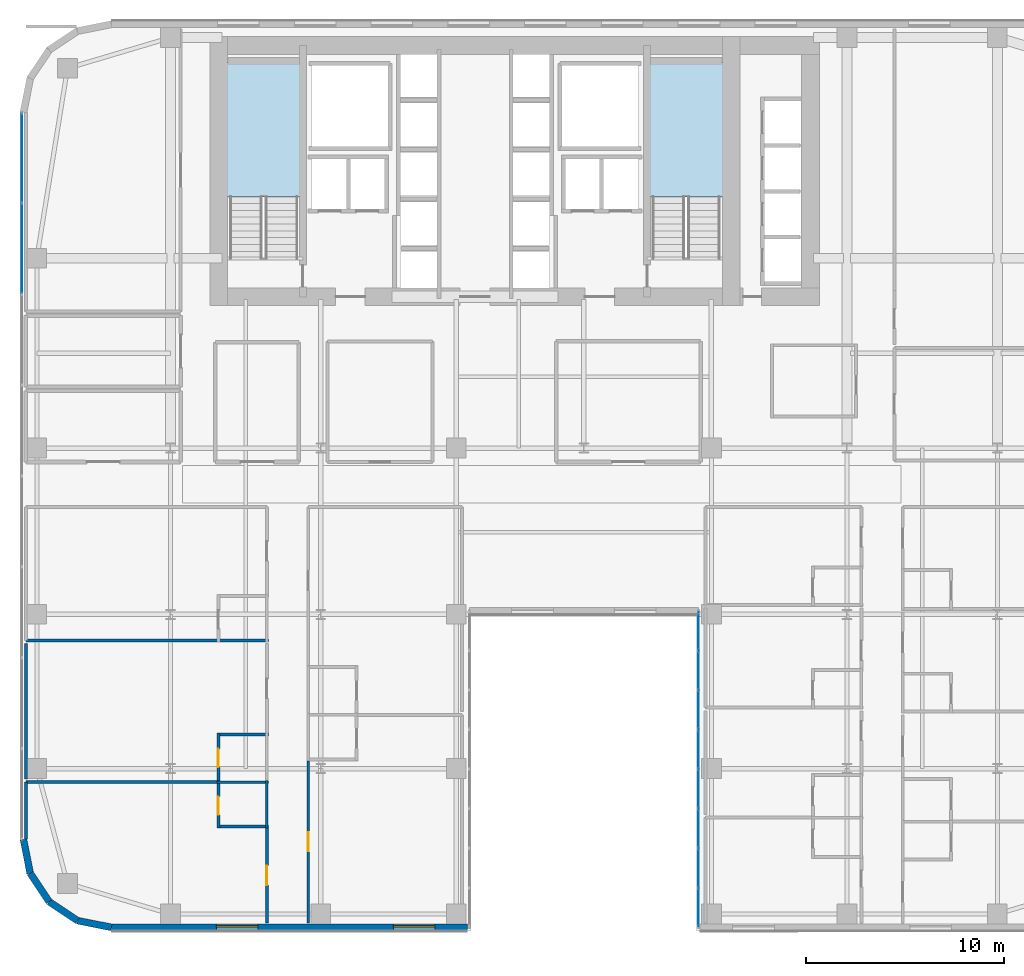
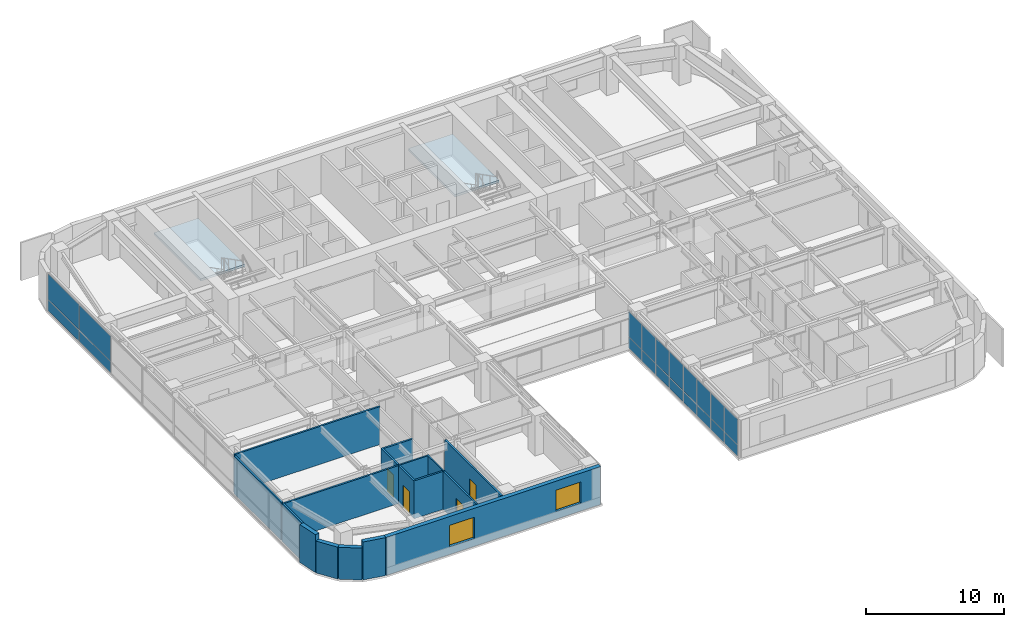
# One storey, part 26 of 37: 20 plates, 17 walls, 4 doors, 2 slabs, 2 windows, 6 openings, 4 elements without a shape of their own.
"""IFC4 building model written with IfcOpenShell, lengths in metres."""

from ifc_helpers import new_model, si_unit, direction, frame, frame_2d, origin, origin_2d, place, context, subcontext, project, spatial, polyline, rectangle, outline, extrude, source, transform, mapped, material, layer, layer_set, type_object, type_shapes, element, fill, aggregate, save


model = new_model("IFC4")

# Units and contexts
model_context = context("Model", 3, precision=1e-05, world=origin(), true_north=direction((0.0, 1.0)))
body_context = subcontext(model_context, "Body", "Model", "MODEL_VIEW")
ifc_project = project(units=[si_unit("LENGTHUNIT", "METRE"), si_unit("AREAUNIT", "SQUARE_METRE"), si_unit("VOLUMEUNIT", "CUBIC_METRE"), si_unit("PLANEANGLEUNIT", "RADIAN"), si_unit("MASSUNIT", "GRAM", prefix="KILO")], contexts=[model_context])

# Site, building, storey
site_placement = place(None, origin())
site = spatial("IfcSite", under=ifc_project, at=site_placement, CompositionType="ELEMENT")
building_placement = place(site_placement, origin())
building = spatial("IfcBuilding", under=site, at=building_placement, Name="Tolvann Quenvar Hotel", CompositionType="ELEMENT")
storey_placement = place(building_placement, frame((0.0, 0.0, 53.300048828125)))
storey = spatial("IfcBuildingStorey", under=building, at=storey_placement, Name="L12", CompositionType="ELEMENT", Elevation=53.300048828125)

# Stair, slab
ifc_material_1 = material(Name="Concrete N40 (40 MPa)", Category="concrete")
stair_type = type_object("IfcStairType", Name="STAIR", PredefinedType="HALF_TURN_STAIR", material=ifc_material_1)
stair_1_placement = place(storey_placement, origin())
stair_1 = element("IfcStair", 1, at=stair_1_placement, inside=storey, type_object=stair_type, Name="L12 ST-C1", PredefinedType="HALF_TURN_STAIR")
ifc_layer_1 = layer(ifc_material_1, 0.199951171875)
ifc_layer_set_1 = layer_set([ifc_layer_1], Name="Concrete N40 (40 MPa)")
slab_type = type_object("IfcSlabType", Name="SLAB_LANDING", PredefinedType="LANDING", material=ifc_layer_set_1)
slab_1_placement = place(storey_placement, frame((0.0, 0.0, 1.574951171875)))
slab_1 = element("IfcSlab", 2, at=slab_1_placement, type_object=slab_type, Name="ST-C1 landing 1", PredefinedType="LANDING", context=body_context, shape_type="SweptSolid", body=[
    extrude(outline(polyline([(14.179931640625, 37.10498046875), (14.179931640625, 43.8798828125), (10.469970703125, 43.8798828125), (10.469970703125, 37.10498046875), (14.179931640625, 37.10498046875)])), origin(), (0.0, 0.0, 1.0), 0.199951171875),
])
aggregate(stair_1, [slab_1])

stair_2_placement = place(storey_placement, origin())
stair_2 = element("IfcStair", 3, at=stair_2_placement, inside=storey, type_object=stair_type, Name="L12 ST-C2", PredefinedType="HALF_TURN_STAIR")
slab_2_placement = place(storey_placement, frame((0.0, 0.0, 1.574951171875)))
slab_2 = element("IfcSlab", 4, at=slab_2_placement, type_object=slab_type, Name="ST-C2 landing 1", PredefinedType="LANDING", context=body_context, shape_type="SweptSolid", body=[
    extrude(outline(polyline([(35.530029296875, 37.10498046875), (35.530029296875, 43.8798828125), (31.820068359375, 43.8798828125), (31.820068359375, 37.10498046875), (35.530029296875, 37.10498046875)])), origin(), (0.0, 0.0, 1.0), 0.199951171875),
])
aggregate(stair_2, [slab_2])

# Curtain wall, plates
ifc_material_2 = material(Name="Thermally broken anodised architectural aluminium 6063-T6 and laminated low-E glass", Category="aluminium")
ifc_layer_2 = layer(ifc_material_2, 0.179931640625)
ifc_layer_set_2 = layer_set([ifc_layer_2], Name="Thermally broken anodised architectural aluminium 6063-T6 and laminated low-E glass")
curtain_wall_type_1 = type_object("IfcCurtainWallType", Name="CW_SYS_SLOT_03", PredefinedType="USERDEFINED", material=ifc_layer_set_2)
curtain_wall_1_placement = place(storey_placement, origin())
curtain_wall_1 = element("IfcCurtainWall", 5, at=curtain_wall_1_placement, inside=storey, type_object=curtain_wall_type_1, Name="Curtain Wall CW-SLOT-03 (CWR-L12-E07)", ObjectType="UNITISED CURTAIN WALL", PredefinedType="USERDEFINED")
ifc_material_3 = material(Name="Low-iron laminated double glazing with solar-control coating", Category="glass")
ifc_layer_3 = layer(ifc_material_3, 0.028076171875)
ifc_layer_set_3 = layer_set([ifc_layer_3], Name="Low-iron laminated double glazing with solar-control coating")
plate_type = type_object("IfcPlateType", Name="CW_PAN_VISION_28", PredefinedType="CURTAIN_PANEL", material=ifc_layer_set_3)
shared_shape_1 = source(origin(), body_context, "Body", "SweptSolid", [
    extrude(rectangle(XDim=1.89501953125, YDim=0.028076171875, at=origin_2d()), origin(), (0.0, 0.0, 1.0), 0.9599609375),
])
plate_1_placement = place(storey_placement, frame((34.2900390625, 15.157470703125, 0.06005859375), z_axis=(0.0, 0.0, 1.0), x_axis=(0.0, -1.0, 0.0)))
plate_1 = element("IfcPlate", 6, at=plate_1_placement, type_object=plate_type, Name="CW-SLOT-03 panel 1.1", PredefinedType="CURTAIN_PANEL", context=body_context, shape_type="MappedRepresentation", body=[
    mapped(shared_shape_1, transform((0.0, 0.0, 0.0), x_axis=(1.0, 0.0, 0.0), y_axis=(0.0, 1.0, 0.0), z_axis=(0.0, 0.0, 1.0), scale=1.0)),
])
plate_2_placement = place(storey_placement, frame((34.2900390625, 1.1923828125, 0.06005859375), z_axis=(0.0, 0.0, 1.0), x_axis=(0.0, -1.0, 0.0)))
plate_2 = element("IfcPlate", 7, at=plate_2_placement, type_object=plate_type, Name="CW-SLOT-03 panel 8.1", PredefinedType="CURTAIN_PANEL", context=body_context, shape_type="MappedRepresentation", body=[
    mapped(shared_shape_1, transform((0.0, 0.0, 0.0), x_axis=(1.0, 0.0, 0.0), y_axis=(0.0, 1.0, 0.0), z_axis=(0.0, 0.0, 1.0), scale=1.0)),
])
shared_shape_2 = source(origin(), body_context, "Body", "SweptSolid", [
    extrude(rectangle(XDim=1.89501953125, YDim=0.028076171875, at=origin_2d()), origin(), (0.0, 0.0, 1.0), 2.22998046875),
])
plate_3_placement = place(storey_placement, frame((34.2900390625, 15.157470703125, 1.080078125), z_axis=(0.0, 0.0, 1.0), x_axis=(0.0, -1.0, 0.0)))
plate_3 = element("IfcPlate", 8, at=plate_3_placement, type_object=plate_type, Name="CW-SLOT-03 panel 1.2", PredefinedType="CURTAIN_PANEL", context=body_context, shape_type="MappedRepresentation", body=[
    mapped(shared_shape_2, transform((0.0, 0.0, 0.0), x_axis=(1.0, 0.0, 0.0), y_axis=(0.0, 1.0, 0.0), z_axis=(0.0, 0.0, 1.0), scale=1.0)),
])
plate_4_placement = place(storey_placement, frame((34.2900390625, 1.1923828125, 1.080078125), z_axis=(0.0, 0.0, 1.0), x_axis=(0.0, -1.0, 0.0)))
plate_4 = element("IfcPlate", 9, at=plate_4_placement, type_object=plate_type, Name="CW-SLOT-03 panel 8.2", PredefinedType="CURTAIN_PANEL", context=body_context, shape_type="MappedRepresentation", body=[
    mapped(shared_shape_2, transform((0.0, 0.0, 0.0), x_axis=(1.0, 0.0, 0.0), y_axis=(0.0, 1.0, 0.0), z_axis=(0.0, 0.0, 1.0), scale=1.0)),
])
shared_shape_3 = source(origin(), body_context, "Body", "SweptSolid", [
    extrude(rectangle(XDim=1.929931640625, YDim=0.028076171875, at=origin_2d()), origin(), (0.0, 0.0, 1.0), 0.9599609375),
])
plate_5_placement = place(storey_placement, frame((34.2900390625, 13.175048828125, 0.06005859375), z_axis=(0.0, 0.0, 1.0), x_axis=(0.0, -1.0, 0.0)))
plate_5 = element("IfcPlate", 10, at=plate_5_placement, type_object=plate_type, Name="CW-SLOT-03 panel 2.1", PredefinedType="CURTAIN_PANEL", context=body_context, shape_type="MappedRepresentation", body=[
    mapped(shared_shape_3, transform((0.0, 0.0, 0.0), x_axis=(1.0, 0.0, 0.0), y_axis=(0.0, 1.0, 0.0), z_axis=(0.0, 0.0, 1.0), scale=1.0)),
])
plate_6_placement = place(storey_placement, frame((34.2900390625, 11.175048828125, 0.06005859375), z_axis=(0.0, 0.0, 1.0), x_axis=(0.0, -1.0, 0.0)))
plate_6 = element("IfcPlate", 11, at=plate_6_placement, type_object=plate_type, Name="CW-SLOT-03 panel 3.1", PredefinedType="CURTAIN_PANEL", context=body_context, shape_type="MappedRepresentation", body=[
    mapped(shared_shape_3, transform((0.0, 0.0, 0.0), x_axis=(1.0, 0.0, 0.0), y_axis=(0.0, 1.0, 0.0), z_axis=(0.0, 0.0, 1.0), scale=1.0)),
])
plate_7_placement = place(storey_placement, frame((34.2900390625, 9.175048828125, 0.06005859375), z_axis=(0.0, 0.0, 1.0), x_axis=(0.0, -1.0, 0.0)))
plate_7 = element("IfcPlate", 12, at=plate_7_placement, type_object=plate_type, Name="CW-SLOT-03 panel 4.1", PredefinedType="CURTAIN_PANEL", context=body_context, shape_type="MappedRepresentation", body=[
    mapped(shared_shape_3, transform((0.0, 0.0, 0.0), x_axis=(1.0, 0.0, 0.0), y_axis=(0.0, 1.0, 0.0), z_axis=(0.0, 0.0, 1.0), scale=1.0)),
])
plate_8_placement = place(storey_placement, frame((34.2900390625, 7.175048828125, 0.06005859375), z_axis=(0.0, 0.0, 1.0), x_axis=(0.0, -1.0, 0.0)))
plate_8 = element("IfcPlate", 13, at=plate_8_placement, type_object=plate_type, Name="CW-SLOT-03 panel 5.1", PredefinedType="CURTAIN_PANEL", context=body_context, shape_type="MappedRepresentation", body=[
    mapped(shared_shape_3, transform((0.0, 0.0, 0.0), x_axis=(1.0, 0.0, 0.0), y_axis=(0.0, 1.0, 0.0), z_axis=(0.0, 0.0, 1.0), scale=1.0)),
])
plate_9_placement = place(storey_placement, frame((34.2900390625, 5.175048828125, 0.06005859375), z_axis=(0.0, 0.0, 1.0), x_axis=(0.0, -1.0, 0.0)))
plate_9 = element("IfcPlate", 14, at=plate_9_placement, type_object=plate_type, Name="CW-SLOT-03 panel 6.1", PredefinedType="CURTAIN_PANEL", context=body_context, shape_type="MappedRepresentation", body=[
    mapped(shared_shape_3, transform((0.0, 0.0, 0.0), x_axis=(1.0, 0.0, 0.0), y_axis=(0.0, 1.0, 0.0), z_axis=(0.0, 0.0, 1.0), scale=1.0)),
])
plate_10_placement = place(storey_placement, frame((34.2900390625, 3.175048828125, 0.06005859375), z_axis=(0.0, 0.0, 1.0), x_axis=(0.0, -1.0, 0.0)))
plate_10 = element("IfcPlate", 15, at=plate_10_placement, type_object=plate_type, Name="CW-SLOT-03 panel 7.1", PredefinedType="CURTAIN_PANEL", context=body_context, shape_type="MappedRepresentation", body=[
    mapped(shared_shape_3, transform((0.0, 0.0, 0.0), x_axis=(1.0, 0.0, 0.0), y_axis=(0.0, 1.0, 0.0), z_axis=(0.0, 0.0, 1.0), scale=1.0)),
])
shared_shape_4 = source(origin(), body_context, "Body", "SweptSolid", [
    extrude(rectangle(XDim=1.929931640625, YDim=0.028076171875, at=origin_2d()), origin(), (0.0, 0.0, 1.0), 2.22998046875),
])
plate_11_placement = place(storey_placement, frame((34.2900390625, 13.175048828125, 1.080078125), z_axis=(0.0, 0.0, 1.0), x_axis=(0.0, -1.0, 0.0)))
plate_11 = element("IfcPlate", 16, at=plate_11_placement, type_object=plate_type, Name="CW-SLOT-03 panel 2.2", PredefinedType="CURTAIN_PANEL", context=body_context, shape_type="MappedRepresentation", body=[
    mapped(shared_shape_4, transform((0.0, 0.0, 0.0), x_axis=(1.0, 0.0, 0.0), y_axis=(0.0, 1.0, 0.0), z_axis=(0.0, 0.0, 1.0), scale=1.0)),
])
plate_12_placement = place(storey_placement, frame((34.2900390625, 11.175048828125, 1.080078125), z_axis=(0.0, 0.0, 1.0), x_axis=(0.0, -1.0, 0.0)))
plate_12 = element("IfcPlate", 17, at=plate_12_placement, type_object=plate_type, Name="CW-SLOT-03 panel 3.2", PredefinedType="CURTAIN_PANEL", context=body_context, shape_type="MappedRepresentation", body=[
    mapped(shared_shape_4, transform((0.0, 0.0, 0.0), x_axis=(1.0, 0.0, 0.0), y_axis=(0.0, 1.0, 0.0), z_axis=(0.0, 0.0, 1.0), scale=1.0)),
])
plate_13_placement = place(storey_placement, frame((34.2900390625, 9.175048828125, 1.080078125), z_axis=(0.0, 0.0, 1.0), x_axis=(0.0, -1.0, 0.0)))
plate_13 = element("IfcPlate", 18, at=plate_13_placement, type_object=plate_type, Name="CW-SLOT-03 panel 4.2", PredefinedType="CURTAIN_PANEL", context=body_context, shape_type="MappedRepresentation", body=[
    mapped(shared_shape_4, transform((0.0, 0.0, 0.0), x_axis=(1.0, 0.0, 0.0), y_axis=(0.0, 1.0, 0.0), z_axis=(0.0, 0.0, 1.0), scale=1.0)),
])
plate_14_placement = place(storey_placement, frame((34.2900390625, 7.175048828125, 1.080078125), z_axis=(0.0, 0.0, 1.0), x_axis=(0.0, -1.0, 0.0)))
plate_14 = element("IfcPlate", 19, at=plate_14_placement, type_object=plate_type, Name="CW-SLOT-03 panel 5.2", PredefinedType="CURTAIN_PANEL", context=body_context, shape_type="MappedRepresentation", body=[
    mapped(shared_shape_4, transform((0.0, 0.0, 0.0), x_axis=(1.0, 0.0, 0.0), y_axis=(0.0, 1.0, 0.0), z_axis=(0.0, 0.0, 1.0), scale=1.0)),
])
plate_15_placement = place(storey_placement, frame((34.2900390625, 5.175048828125, 1.080078125), z_axis=(0.0, 0.0, 1.0), x_axis=(0.0, -1.0, 0.0)))
plate_15 = element("IfcPlate", 20, at=plate_15_placement, type_object=plate_type, Name="CW-SLOT-03 panel 6.2", PredefinedType="CURTAIN_PANEL", context=body_context, shape_type="MappedRepresentation", body=[
    mapped(shared_shape_4, transform((0.0, 0.0, 0.0), x_axis=(1.0, 0.0, 0.0), y_axis=(0.0, 1.0, 0.0), z_axis=(0.0, 0.0, 1.0), scale=1.0)),
])
plate_16_placement = place(storey_placement, frame((34.2900390625, 3.175048828125, 1.080078125), z_axis=(0.0, 0.0, 1.0), x_axis=(0.0, -1.0, 0.0)))
plate_16 = element("IfcPlate", 21, at=plate_16_placement, type_object=plate_type, Name="CW-SLOT-03 panel 7.2", PredefinedType="CURTAIN_PANEL", context=body_context, shape_type="MappedRepresentation", body=[
    mapped(shared_shape_4, transform((0.0, 0.0, 0.0), x_axis=(1.0, 0.0, 0.0), y_axis=(0.0, 1.0, 0.0), z_axis=(0.0, 0.0, 1.0), scale=1.0)),
])
aggregate(curtain_wall_1, [plate_1, plate_3, plate_5, plate_11, plate_6, plate_12, plate_7, plate_13, plate_8, plate_14, plate_9, plate_15, plate_10, plate_16, plate_2, plate_4])

ifc_layer_4 = layer(ifc_material_2, 0.179931640625)
ifc_layer_set_4 = layer_set([ifc_layer_4], Name="Thermally broken anodised architectural aluminium 6063-T6 and laminated low-E glass")
curtain_wall_type_2 = type_object("IfcCurtainWallType", Name="CW_SYS_BAND_04", PredefinedType="USERDEFINED", material=ifc_layer_set_4)
curtain_wall_2_placement = place(storey_placement, origin())
curtain_wall_2 = element("IfcCurtainWall", 22, at=curtain_wall_2_placement, inside=storey, type_object=curtain_wall_type_2, Name="Curtain Wall CW-BAND-04 (CWR-L12-E23)", ObjectType="UNITISED CURTAIN WALL", PredefinedType="USERDEFINED")
shared_shape_5 = source(origin(), body_context, "Body", "SweptSolid", [
    extrude(rectangle(XDim=4.49072265625, YDim=0.028076171875, at=origin_2d()), origin(), (0.0, 0.0, 1.0), 0.9599609375),
])
plate_17_placement = place(storey_placement, frame((0.090087890625, 39.0673828125, 0.06005859375), z_axis=(0.0, 0.0, 1.0), x_axis=(0.0, -1.0, 0.0)))
plate_17 = element("IfcPlate", 23, at=plate_17_placement, type_object=plate_type, Name="CW-BAND-04 panel 1.1", PredefinedType="CURTAIN_PANEL", context=body_context, shape_type="MappedRepresentation", body=[
    mapped(shared_shape_5, transform((0.0, 0.0, 0.0), x_axis=(1.0, 0.0, 0.0), y_axis=(0.0, 1.0, 0.0), z_axis=(0.0, 0.0, 1.0), scale=1.0)),
])
shared_shape_6 = source(origin(), body_context, "Body", "SweptSolid", [
    extrude(rectangle(XDim=4.49072265625, YDim=0.028076171875, at=origin_2d()), origin(), (0.0, 0.0, 1.0), 2.22998046875),
])
plate_18_placement = place(storey_placement, frame((0.090087890625, 39.0673828125, 1.080078125), z_axis=(0.0, 0.0, 1.0), x_axis=(0.0, -1.0, 0.0)))
plate_18 = element("IfcPlate", 24, at=plate_18_placement, type_object=plate_type, Name="CW-BAND-04 panel 1.2", PredefinedType="CURTAIN_PANEL", context=body_context, shape_type="MappedRepresentation", body=[
    mapped(shared_shape_6, transform((0.0, 0.0, 0.0), x_axis=(1.0, 0.0, 0.0), y_axis=(0.0, 1.0, 0.0), z_axis=(0.0, 0.0, 1.0), scale=1.0)),
])
shared_shape_7 = source(origin(), body_context, "Body", "SweptSolid", [
    extrude(rectangle(XDim=4.525634765625, YDim=0.028076171875, at=origin_2d()), origin(), (0.0, 0.0, 1.0), 0.9599609375),
])
plate_19_placement = place(storey_placement, frame((0.090087890625, 34.4892578125, 0.06005859375), z_axis=(0.0, 0.0, 1.0), x_axis=(0.0, -1.0, 0.0)))
plate_19 = element("IfcPlate", 25, at=plate_19_placement, type_object=plate_type, Name="CW-BAND-04 panel 2.1", PredefinedType="CURTAIN_PANEL", context=body_context, shape_type="MappedRepresentation", body=[
    mapped(shared_shape_7, transform((0.0, 0.0, 0.0), x_axis=(1.0, 0.0, 0.0), y_axis=(0.0, 1.0, 0.0), z_axis=(0.0, 0.0, 1.0), scale=1.0)),
])
shared_shape_8 = source(origin(), body_context, "Body", "SweptSolid", [
    extrude(rectangle(XDim=4.525634765625, YDim=0.028076171875, at=origin_2d()), origin(), (0.0, 0.0, 1.0), 2.22998046875),
])
type_shapes(plate_type, [shared_shape_1, shared_shape_2, shared_shape_3, shared_shape_4, shared_shape_5, shared_shape_6, shared_shape_7, shared_shape_8])
plate_20_placement = place(storey_placement, frame((0.090087890625, 34.4892578125, 1.080078125), z_axis=(0.0, 0.0, 1.0), x_axis=(0.0, -1.0, 0.0)))
plate_20 = element("IfcPlate", 26, at=plate_20_placement, type_object=plate_type, Name="CW-BAND-04 panel 2.2", PredefinedType="CURTAIN_PANEL", context=body_context, shape_type="MappedRepresentation", body=[
    mapped(shared_shape_8, transform((0.0, 0.0, 0.0), x_axis=(1.0, 0.0, 0.0), y_axis=(0.0, 1.0, 0.0), z_axis=(0.0, 0.0, 1.0), scale=1.0)),
])
aggregate(curtain_wall_2, [plate_17, plate_18, plate_19, plate_20])

# Walls
ifc_material_4 = material(Name="Kiln-fired red and buff architectural clay brickwork and terracotta masonry", Category="masonry")
ifc_layer_5 = layer(ifc_material_4, 0.35009765625)
ifc_layer_set_5 = layer_set([ifc_layer_5], Name="Kiln-fired red and buff architectural clay brickwork and terracotta masonry")
wall_type_1 = type_object("IfcWallType", Name="WALL_EXT_BRICK_350", PredefinedType="SOLIDWALL", material=ifc_layer_set_5)
for number, where, z_axis, x_axis, name in (
    (27, (0.514892578125, 2.907958984375, 0.0), (0.0, 0.0, 1.0), (0.55554893791, -0.831483840845, 0.0), "Exterior Chicago Brick Wall L12-E01"),
    (28, (1.473388671875, 1.473388671875, 0.0), (0.0, 0.0, 1.0), (0.831483840845, -0.55554893791, 0.0), "Exterior Chicago Brick Wall L12-E02"),
):
    element("IfcWall", number, at=place(storey_placement, frame(where, z_axis=z_axis, x_axis=x_axis)), inside=storey, type_object=wall_type_1, Name=name, PredefinedType="SOLIDWALL", context=body_context, shape_type="SweptSolid", body=[
        extrude(rectangle(XDim=1.725341796875, YDim=0.35009765625, at=frame_2d((0.86279296875, 0.0))), origin(), (0.0, 0.0, 1.0), 2.83203125),
    ])
wall_1_placement = place(storey_placement, frame((2.907958984375, 0.514892578125, 0.0), z_axis=(0.0, 0.0, 1.0), x_axis=(0.980800971659, -0.195011420161, 0.0)))
element("IfcWall", 29, at=wall_1_placement, inside=storey, type_object=wall_type_1, Name="Exterior Chicago Brick Wall L12-E03", PredefinedType="SOLIDWALL", context=body_context, shape_type="SweptSolid", body=[
    extrude(rectangle(XDim=1.74267578125, YDim=0.35009765625, at=frame_2d((0.871337890625, 0.0))), origin(), (0.0, 0.0, 1.0), 3.369873046875),
])

# Wall, openings, windows
wall_2_placement = place(storey_placement, frame((4.6171875, 0.175048828125, 0.0), z_axis=(0.0, 0.0, 1.0), x_axis=(1.0, 0.0, 0.0)))
wall_2 = element("IfcWall", 30, at=wall_2_placement, inside=storey, type_object=wall_type_1, Name="Exterior Chicago Brick Wall L12-E04", PredefinedType="SOLIDWALL", context=body_context, shape_type="SweptSolid", body=[
    extrude(rectangle(XDim=18.0078125, YDim=0.35009765625, at=frame_2d((9.00390625, 0.0))), origin(), (0.0, 0.0, 1.0), 3.369873046875),
])
opening_1_placement = place(wall_2_placement, frame((5.302978515625, 0.0, 0.679931640625)))
opening_1 = element("IfcOpeningElement", 31, at=opening_1_placement, cuts=wall_2, Name="Opening W-02", PredefinedType="OPENING", context=body_context, shape_type="SweptSolid", body=[
    extrude(rectangle(XDim=2.10009765625, YDim=1.89990234375, at=frame_2d((1.050048828125, 0.949951171875))), frame((0.0, 0.18505859375, 0.0), z_axis=(0.0, -1.0, 0.0), x_axis=(1.0, 0.0, 0.0)), (0.0, 0.0, 1.0), 0.3701171875),
])
opening_2_placement = place(wall_2_placement, frame((14.257080078125, 0.0, 0.679931640625)))
opening_2 = element("IfcOpeningElement", 32, at=opening_2_placement, cuts=wall_2, Name="Opening W-02", PredefinedType="OPENING", context=body_context, shape_type="SweptSolid", body=[
    extrude(rectangle(XDim=2.10009765625, YDim=1.89990234375, at=frame_2d((1.050048828125, 0.949951171875))), frame((0.0, 0.18505859375, 0.0), z_axis=(0.0, -1.0, 0.0), x_axis=(1.0, 0.0, 0.0)), (0.0, 0.0, 1.0), 0.3701171875),
])
ifc_material_5 = material(Name="Thermally broken bronze-anodised aluminium frame with double low-E glazing", Category="aluminium")
window_type = type_object("IfcWindowType", Name="WIN_CHI_2100x2050", PartitioningType="TRIPLE_PANEL_HORIZONTAL", PredefinedType="WINDOW", material=ifc_material_5)
shared_shape_9 = source(origin(), body_context, "Body", "SweptSolid", [
    extrude(rectangle(XDim=2.10009765625, YDim=1.89990234375, at=frame_2d((1.050048828125, 0.949951171875))), frame((0.0, 0.090087890625, 0.0), z_axis=(0.0, -1.0, 0.0), x_axis=(1.0, 0.0, 0.0)), (0.0, 0.0, 1.0), 0.06005859375),
])
type_shapes(window_type, [shared_shape_9])
window_1_placement = place(opening_1_placement, origin())
window_1 = element("IfcWindow", 33, at=window_1_placement, inside=storey, type_object=window_type, Name="Chicago Window W-02 (EW-L12-E04-W01)", OverallHeight=1.89990234375, OverallWidth=2.10009765625, PartitioningType="TRIPLE_PANEL_HORIZONTAL", PredefinedType="WINDOW", context=body_context, shape_type="MappedRepresentation", body=[
    mapped(shared_shape_9, transform((0.0, 0.0, 0.0), x_axis=(1.0, 0.0, 0.0), y_axis=(0.0, 1.0, 0.0), z_axis=(0.0, 0.0, 1.0), scale=1.0)),
])
fill(opening_1, window_1)
window_2_placement = place(opening_2_placement, origin())
window_2 = element("IfcWindow", 34, at=window_2_placement, inside=storey, type_object=window_type, Name="Chicago Window W-02 (EW-L12-E04-W02)", OverallHeight=1.89990234375, OverallWidth=2.10009765625, PartitioningType="TRIPLE_PANEL_HORIZONTAL", PredefinedType="WINDOW", context=body_context, shape_type="MappedRepresentation", body=[
    mapped(shared_shape_9, transform((0.0, 0.0, 0.0), x_axis=(1.0, 0.0, 0.0), y_axis=(0.0, 1.0, 0.0), z_axis=(0.0, 0.0, 1.0), scale=1.0)),
])
fill(opening_2, window_2)

# Walls
wall_3_placement = place(storey_placement, frame((0.175048828125, 4.6171875, 0.0), z_axis=(0.0, 0.0, 1.0), x_axis=(0.195011420161, -0.980800971659, 0.0)))
element("IfcWall", 35, at=wall_3_placement, inside=storey, type_object=wall_type_1, Name="Exterior Chicago Brick Wall L12-E24", PredefinedType="SOLIDWALL", context=body_context, shape_type="SweptSolid", body=[
    extrude(rectangle(XDim=1.74267578125, YDim=0.35009765625, at=frame_2d((0.871337890625, 0.0))), origin(), (0.0, 0.0, 1.0), 3.369873046875),
])
ifc_material_6 = material(Name="Moisture-resistant acoustic plumbing wall assembly")
ifc_layer_6 = layer(ifc_material_6, 0.1201171875)
ifc_layer_set_6 = layer_set([ifc_layer_6], Name="Moisture-resistant acoustic plumbing wall assembly")
wall_type_2 = type_object("IfcWallType", Name="WALL_PART_BATH_120", PredefinedType="PLUMBINGWALL", material=ifc_layer_set_6)
wall_4_placement = place(storey_placement, frame((9.9599609375, 7.52001953125, 0.0), z_axis=(0.0, 0.0, 1.0), x_axis=(1.0, 0.0, 0.0)))
element("IfcWall", 36, at=wall_4_placement, inside=storey, type_object=wall_type_2, Name="Non-Rated Plumbing Partition PT-SPC-L12-ENS-WO01-N", PredefinedType="PLUMBINGWALL", context=body_context, shape_type="SweptSolid", body=[
    extrude(rectangle(XDim=2.590087890625, YDim=0.1201171875, at=frame_2d((1.294921875, 0.0))), origin(), (0.0, 0.0, 1.0), 3.369873046875),
])
wall_5_placement = place(storey_placement, frame((12.47998046875, 5.199951171875, 0.0), z_axis=(0.0, 0.0, 1.0), x_axis=(0.0, 1.0, 0.0)))
element("IfcWall", 37, at=wall_5_placement, inside=storey, type_object=wall_type_2, Name="Non-Rated Plumbing Partition PT-SPC-L12-ENS-WO01-E", PredefinedType="PLUMBINGWALL", context=body_context, shape_type="SweptSolid", body=[
    extrude(rectangle(XDim=2.39013671875, YDim=0.1201171875, at=frame_2d((1.195068359375, 0.0))), origin(), (0.0, 0.0, 1.0), 3.369873046875),
])

# Wall, opening, door
ifc_material_7 = material(Name="Acoustic twin-stud fire-rated gypsum plasterboard partition")
ifc_layer_7 = layer(ifc_material_7, 0.14990234375)
ifc_layer_set_7 = layer_set([ifc_layer_7], Name="Acoustic twin-stud fire-rated gypsum plasterboard partition")
wall_type_3 = type_object("IfcWallType", Name="WALL_PART_SUITE_150", PredefinedType="PARTITIONING", material=ifc_layer_set_7)
wall_6_placement = place(storey_placement, frame((10.030029296875, 5.199951171875, 0.0), z_axis=(0.0, 0.0, 1.0), x_axis=(0.0, 1.0, 0.0)))
wall_6 = element("IfcWall", 38, at=wall_6_placement, inside=storey, type_object=wall_type_3, Name="Interior Partition PT-SPC-L12-ENS-WO01-ENT", PredefinedType="PARTITIONING", context=body_context, shape_type="SweptSolid", body=[
    extrude(rectangle(XDim=2.39013671875, YDim=0.14990234375, at=frame_2d((1.195068359375, 0.0))), origin(), (0.0, 0.0, 1.0), 3.369873046875),
])
opening_3_placement = place(wall_6_placement, frame((0.6650390625, 0.0, 0.0)))
opening_3 = element("IfcOpeningElement", 39, at=opening_3_placement, cuts=wall_6, Name="Opening WD-01", PredefinedType="OPENING", context=body_context, shape_type="SweptSolid", body=[
    extrude(rectangle(XDim=0.919921875, YDim=2.010009765625, at=frame_2d((0.4599609375, 1.0048828125))), frame((0.0, 0.0849609375, 0.0), z_axis=(0.0, -1.0, 0.0), x_axis=(1.0, 0.0, 0.0)), (0.0, 0.0, 1.0), 0.169921875),
])
ifc_material_8 = material(Name="Solid-core American oak acoustic fire door leaf in steel frame", Category="steel")
door_type_1 = type_object("IfcDoorType", Name="DOOR_WC_920", OperationType="NOTDEFINED", PredefinedType="DOOR", material=ifc_material_8)
shared_shape_10 = source(origin(), body_context, "Body", "SweptSolid", [
    extrude(rectangle(XDim=0.919921875, YDim=2.010009765625, at=frame_2d((0.4599609375, 1.0048828125))), frame((0.0, 0.02490234375, 0.0), z_axis=(0.0, -1.0, 0.0), x_axis=(1.0, 0.0, 0.0)), (0.0, 0.0, 1.0), 0.050048828125),
])
type_shapes(door_type_1, [shared_shape_10])
door_1_placement = place(opening_3_placement, origin())
door_1 = element("IfcDoor", 40, at=door_1_placement, inside=storey, type_object=door_type_1, Name="Interior Door DOOR-SPC-L12-ENS-WO01", OperationType="SINGLE_SWING_RIGHT", OverallHeight=2.010009765625, OverallWidth=0.919921875, PredefinedType="DOOR", context=body_context, shape_type="MappedRepresentation", body=[
    mapped(shared_shape_10, transform((0.0, 0.0, 0.0), x_axis=(1.0, 0.0, 0.0), y_axis=(0.0, 1.0, 0.0), z_axis=(0.0, 0.0, 1.0), scale=1.0)),
])
fill(opening_3, door_1)

# Wall
wall_7_placement = place(storey_placement, frame((9.9599609375, 5.27001953125, 0.0), z_axis=(0.0, 0.0, 1.0), x_axis=(1.0, 0.0, 0.0)))
element("IfcWall", 41, at=wall_7_placement, inside=storey, type_object=wall_type_3, Name="Interior Partition PT-SPC-L12-ENS-WO01-S", PredefinedType="PARTITIONING", context=body_context, shape_type="SweptSolid", body=[
    extrude(rectangle(XDim=2.590087890625, YDim=0.14990234375, at=frame_2d((1.294921875, 0.0))), origin(), (0.0, 0.0, 1.0), 3.369873046875),
])

# Wall, opening, door
wall_8_placement = place(storey_placement, frame((10.030029296875, 7.610107421875, 0.0), z_axis=(0.0, 0.0, 1.0), x_axis=(0.0, 1.0, 0.0)))
wall_8 = element("IfcWall", 42, at=wall_8_placement, inside=storey, type_object=wall_type_3, Name="Interior Partition PT-SPC-L12-ENS-WO02-ENT", PredefinedType="PARTITIONING", context=body_context, shape_type="SweptSolid", body=[
    extrude(rectangle(XDim=2.389892578125, YDim=0.14990234375, at=frame_2d((1.19482421875, 0.0))), origin(), (0.0, 0.0, 1.0), 3.369873046875),
])
opening_4_placement = place(wall_8_placement, frame((0.6650390625, 0.0, 0.0)))
opening_4 = element("IfcOpeningElement", 43, at=opening_4_placement, cuts=wall_8, Name="Opening WD-01", PredefinedType="OPENING", context=body_context, shape_type="SweptSolid", body=[
    extrude(rectangle(XDim=0.919921875, YDim=2.010009765625, at=frame_2d((0.4599609375, 1.0048828125))), frame((0.0, 0.0849609375, 0.0), z_axis=(0.0, -1.0, 0.0), x_axis=(1.0, 0.0, 0.0)), (0.0, 0.0, 1.0), 0.169921875),
])
door_2_placement = place(opening_4_placement, origin())
door_2 = element("IfcDoor", 44, at=door_2_placement, inside=storey, type_object=door_type_1, Name="Interior Door DOOR-SPC-L12-ENS-WO02", OperationType="SINGLE_SWING_LEFT", OverallHeight=2.010009765625, OverallWidth=0.919921875, PredefinedType="DOOR", context=body_context, shape_type="MappedRepresentation", body=[
    mapped(shared_shape_10, transform((0.0, 0.0, 0.0), x_axis=(1.0, 0.0, 0.0), y_axis=(0.0, 1.0, 0.0), z_axis=(0.0, 0.0, 1.0), scale=1.0)),
])
fill(opening_4, door_2)

# Walls
wall_9_placement = place(storey_placement, frame((9.9599609375, 9.929931640625, 0.0), z_axis=(0.0, 0.0, 1.0), x_axis=(1.0, 0.0, 0.0)))
element("IfcWall", 45, at=wall_9_placement, inside=storey, type_object=wall_type_3, Name="Interior Partition PT-SPC-L12-ENS-WO02-N", PredefinedType="PARTITIONING", context=body_context, shape_type="SweptSolid", body=[
    extrude(rectangle(XDim=2.590087890625, YDim=0.14990234375, at=frame_2d((1.294921875, 0.0))), origin(), (0.0, 0.0, 1.0), 3.369873046875),
])
wall_10_placement = place(storey_placement, frame((0.300048828125, 14.679931640625, 0.0), z_axis=(0.0, 0.0, 1.0), x_axis=(1.0, 0.0, 0.0)))
element("IfcWall", 46, at=wall_10_placement, inside=storey, type_object=wall_type_3, Name="Interior Partition PT-SPC-L12-ENS-WO03-S", PredefinedType="PARTITIONING", context=body_context, shape_type="SweptSolid", body=[
    extrude(rectangle(XDim=12.25, YDim=0.14990234375, at=frame_2d((6.125, 0.0))), origin(), (0.0, 0.0, 1.0), 3.369873046875),
])

# Wall, opening, door
wall_11_placement = place(storey_placement, frame((12.47998046875, 0.405029296875, 0.0), z_axis=(0.0, 0.0, 1.0), x_axis=(0.0, 1.0, 0.0)))
wall_11 = element("IfcWall", 47, at=wall_11_placement, inside=storey, type_object=wall_type_3, Name="Interior Partition PT-SPC-L12-RM-WO01-ENT", PredefinedType="PARTITIONING", context=body_context, shape_type="SweptSolid", body=[
    extrude(rectangle(XDim=4.784912109375, YDim=0.14990234375, at=frame_2d((2.392578125, 0.0))), origin(), (0.0, 0.0, 1.0), 3.369873046875),
])
opening_5_placement = place(wall_11_placement, frame((1.909912109375, 0.0, 0.0)))
opening_5 = element("IfcOpeningElement", 48, at=opening_5_placement, cuts=wall_11, Name="Opening SD-01", PredefinedType="OPENING", context=body_context, shape_type="SweptSolid", body=[
    extrude(rectangle(XDim=0.97998046875, YDim=2.1201171875, at=frame_2d((0.489990234375, 1.06005859375))), frame((0.0, 0.0849609375, 0.0), z_axis=(0.0, -1.0, 0.0), x_axis=(1.0, 0.0, 0.0)), (0.0, 0.0, 1.0), 0.169921875),
])
door_type_2 = type_object("IfcDoorType", Name="DOOR_SUITE_980", OperationType="NOTDEFINED", PredefinedType="DOOR", material=ifc_material_8)
shared_shape_11 = source(origin(), body_context, "Body", "SweptSolid", [
    extrude(rectangle(XDim=0.97998046875, YDim=2.1201171875, at=frame_2d((0.489990234375, 1.06005859375))), frame((0.0, 0.02490234375, 0.0), z_axis=(0.0, -1.0, 0.0), x_axis=(1.0, 0.0, 0.0)), (0.0, 0.0, 1.0), 0.050048828125),
])
type_shapes(door_type_2, [shared_shape_11])
door_3_placement = place(opening_5_placement, origin())
door_3 = element("IfcDoor", 49, at=door_3_placement, inside=storey, type_object=door_type_2, Name="Interior Door DOOR-SPC-L12-RM-WO01", OperationType="SINGLE_SWING_LEFT", OverallHeight=2.1201171875, OverallWidth=0.97998046875, PredefinedType="DOOR", context=body_context, shape_type="MappedRepresentation", body=[
    mapped(shared_shape_11, transform((0.0, 0.0, 0.0), x_axis=(1.0, 0.0, 0.0), y_axis=(0.0, 1.0, 0.0), z_axis=(0.0, 0.0, 1.0), scale=1.0)),
])
fill(opening_5, door_3)

# Walls
wall_12_placement = place(storey_placement, frame((0.300048828125, 7.52001953125, 0.0), z_axis=(0.0, 0.0, 1.0), x_axis=(1.0, 0.0, 0.0)))
element("IfcWall", 50, at=wall_12_placement, inside=storey, type_object=wall_type_3, Name="Interior Partition PT-SPC-L12-RM-WO01-E5", PredefinedType="PARTITIONING", context=body_context, shape_type="SweptSolid", body=[
    extrude(rectangle(XDim=9.7099609375, YDim=0.14990234375, at=frame_2d((4.85498046875, 0.0))), origin(), (0.0, 0.0, 1.0), 3.369873046875),
])
wall_13_placement = place(storey_placement, frame((0.300048828125, 4.64208984375, 0.0), z_axis=(0.0, 0.0, 1.0), x_axis=(0.0, 1.0, 0.0)))
element("IfcWall", 51, at=wall_13_placement, inside=storey, type_object=wall_type_3, Name="Interior Partition PT-SPC-L12-RM-WO01-E6", PredefinedType="PARTITIONING", context=body_context, shape_type="SweptSolid", body=[
    extrude(rectangle(XDim=2.8779296875, YDim=0.14990234375, at=frame_2d((1.43896484375, 0.0))), origin(), (0.0, 0.0, 1.0), 3.369873046875),
])
wall_14_placement = place(storey_placement, frame((0.300048828125, 7.679931640625, 0.0), z_axis=(0.0, 0.0, 1.0), x_axis=(0.0, 1.0, 0.0)))
element("IfcWall", 52, at=wall_14_placement, inside=storey, type_object=wall_type_3, Name="Interior Partition PT-SPC-L12-RM-WO02-E6", PredefinedType="PARTITIONING", context=body_context, shape_type="SweptSolid", body=[
    extrude(rectangle(XDim=6.840087890625, YDim=0.14990234375, at=frame_2d((3.419921875, 0.0))), origin(), (0.0, 0.0, 1.0), 3.369873046875),
])

# Wall, opening, door
wall_15_placement = place(storey_placement, frame((14.570068359375, 0.405029296875, 0.0), z_axis=(0.0, 0.0, 1.0), x_axis=(0.0, 1.0, 0.0)))
wall_15 = element("IfcWall", 53, at=wall_15_placement, inside=storey, type_object=wall_type_3, Name="Interior Partition PT-SPC-L12-RM-WI01-ENT", PredefinedType="PARTITIONING", context=body_context, shape_type="SweptSolid", body=[
    extrude(rectangle(XDim=8.18505859375, YDim=0.14990234375, at=frame_2d((4.092529296875, 0.0))), origin(), (0.0, 0.0, 1.0), 3.369873046875),
])
opening_6_placement = place(wall_15_placement, frame((3.610107421875, 0.0, 0.0)))
opening_6 = element("IfcOpeningElement", 54, at=opening_6_placement, cuts=wall_15, Name="Opening SD-01", PredefinedType="OPENING", context=body_context, shape_type="SweptSolid", body=[
    extrude(rectangle(XDim=0.97998046875, YDim=2.1201171875, at=frame_2d((0.489990234375, 1.06005859375))), frame((0.0, 0.0849609375, 0.0), z_axis=(0.0, -1.0, 0.0), x_axis=(1.0, 0.0, 0.0)), (0.0, 0.0, 1.0), 0.169921875),
])
door_4_placement = place(opening_6_placement, origin())
door_4 = element("IfcDoor", 55, at=door_4_placement, inside=storey, type_object=door_type_2, Name="Interior Door DOOR-SPC-L12-RM-WI01", OperationType="SINGLE_SWING_RIGHT", OverallHeight=2.1201171875, OverallWidth=0.97998046875, PredefinedType="DOOR", context=body_context, shape_type="MappedRepresentation", body=[
    mapped(shared_shape_11, transform((0.0, 0.0, 0.0), x_axis=(1.0, 0.0, 0.0), y_axis=(0.0, 1.0, 0.0), z_axis=(0.0, 0.0, 1.0), scale=1.0)),
])
fill(opening_6, door_4)

save(model, "model.ifc")
